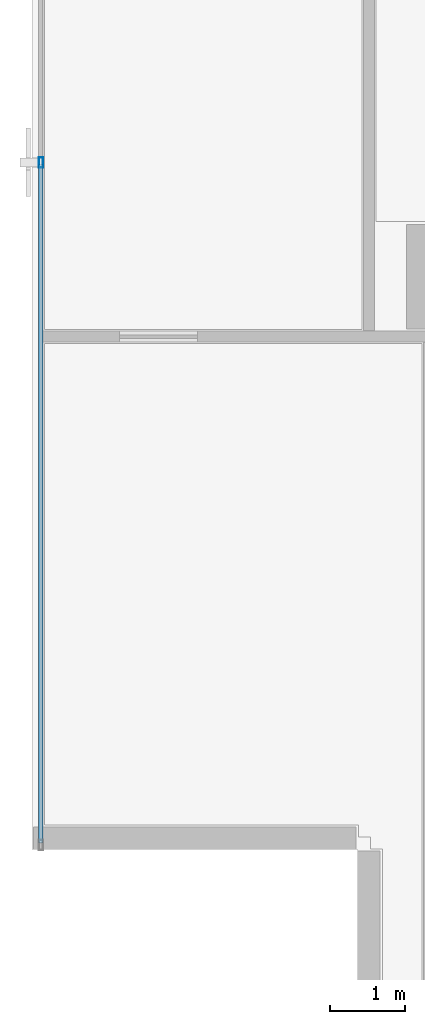
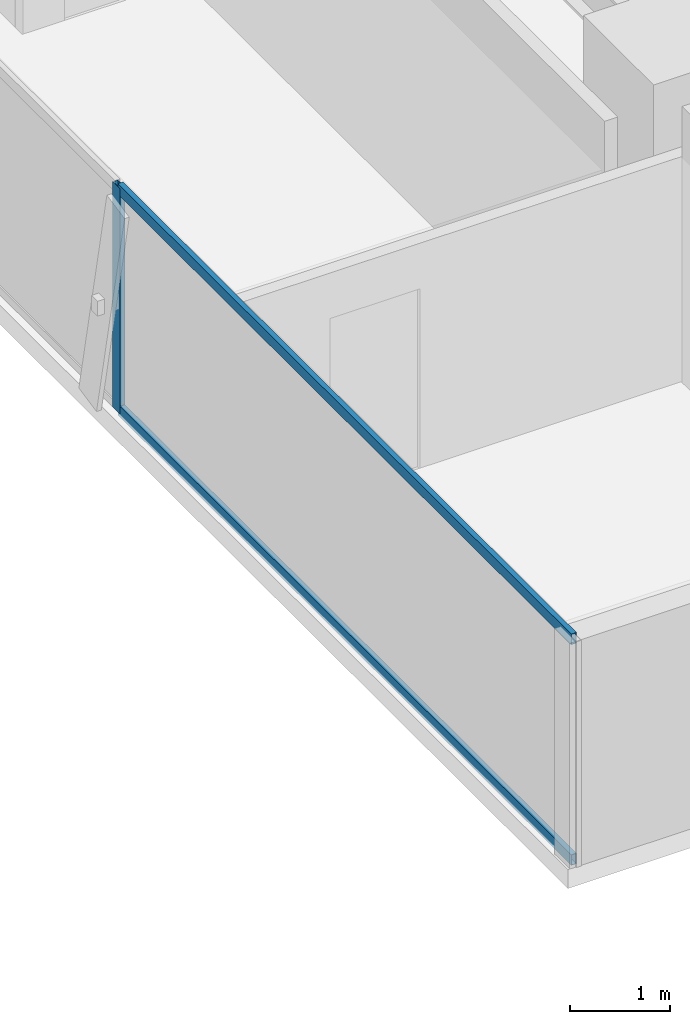
# One storey, part 4 of 25: 3 members, 1 element without a shape of its own.
"""IFC4 building model written with IfcOpenShell, lengths in metres."""

from ifc_helpers import new_model, si_unit, direction, frame, origin, origin_2d, place, context, subcontext, project, spatial, hollow_rectangle, extrude, source, transform, mapped, material, layer, layer_set, material_profile, profile_set, type_object, element, aggregate, save


model = new_model("IFC4")

# Units and contexts
model_context = context("Model", 3, precision=1e-05, world=origin(), true_north=direction((0.0, 1.0)))
body_context = subcontext(model_context, "Body", "Model", "MODEL_VIEW")
ifc_project = project(units=[si_unit("LENGTHUNIT", "METRE"), si_unit("AREAUNIT", "SQUARE_METRE"), si_unit("VOLUMEUNIT", "CUBIC_METRE"), si_unit("PLANEANGLEUNIT", "RADIAN"), si_unit("MASSUNIT", "GRAM", prefix="KILO")], contexts=[model_context])

# Site, building, storey
site_placement = place(None, origin())
site = spatial("IfcSite", under=ifc_project, at=site_placement, CompositionType="ELEMENT")
building_placement = place(site_placement, origin())
building = spatial("IfcBuilding", under=site, at=building_placement, Name="Sumidabori Civic Tower", CompositionType="ELEMENT")
storey_placement = place(building_placement, frame((0.0, 0.0, 246.800048828125)))
storey = spatial("IfcBuildingStorey", under=building, at=storey_placement, Name="L64", CompositionType="ELEMENT", Elevation=246.800048828125)

# Curtain wall, members
ifc_material = material(Name="Anodised Bronze Aluminium AW-6063-T6", Category="aluminium")
ifc_layer = layer(ifc_material, 0.179931640625, Name="Anodised Bronze Aluminium AW-6063-T6")
ifc_layer_set = layer_set([ifc_layer], Name="Anodised Bronze Aluminium AW-6063-T6")
curtain_wall_type = type_object("IfcCurtainWallType", Name="CW-SYS-5", PredefinedType="NOTDEFINED", material=ifc_layer_set)
curtain_wall_placement = place(storey_placement, origin())
curtain_wall = element("IfcCurtainWall", 1, at=curtain_wall_placement, inside=storey, type_object=curtain_wall_type, Name="Curtain Wall CW:L64:R10", PredefinedType="NOTDEFINED")
ifc_material_profile_1 = material_profile(ifc_material, hollow_rectangle(XDim=0.06005859375, YDim=0.139892578125, WallThickness=0.0048828125, at=origin_2d()), Name="ALU MULLION 140x60")
ifc_profile_set_1 = profile_set([ifc_material_profile_1], Name="Anodised Bronze Aluminium AW-6063-T6")
member_type_1 = type_object("IfcMemberType", Name="CW-MUL-140", PredefinedType="MULLION", material=ifc_profile_set_1)
shared_shape_1 = source(origin(), body_context, "Body", "SweptSolid", [
    extrude(hollow_rectangle(XDim=0.06005859375, YDim=0.139892578125, WallThickness=0.0048828125, at=origin_2d()), origin(), (0.0, 0.0, 1.0), 2.75),
])
member_1_placement = place(storey_placement, frame((-22.3798828125, 1.526611328125, 0.0), z_axis=(0.0, 0.0, 1.0), x_axis=(1.0, 0.0, 0.0)))
member_1 = element("IfcMember", 2, at=member_1_placement, type_object=member_type_1, Name="CW-5 mullion 3", PredefinedType="MULLION", context=body_context, shape_type="MappedRepresentation", body=[
    mapped(shared_shape_1, transform((0.0, 0.0, 0.0), x_axis=(1.0, 0.0, 0.0), y_axis=(0.0, 1.0, 0.0), z_axis=(0.0, 0.0, 1.0), scale=1.0)),
])
ifc_material_profile_2 = material_profile(ifc_material, hollow_rectangle(XDim=0.06005859375, YDim=0.1298828125, WallThickness=0.0048828125, at=origin_2d()), Name="ALU TRANSOM 130x60")
ifc_profile_set_2 = profile_set([ifc_material_profile_2], Name="Anodised Bronze Aluminium AW-6063-T6")
member_type_2 = type_object("IfcMemberType", Name="CW-TRN-130", PredefinedType="USERDEFINED", material=ifc_profile_set_2)
shared_shape_2 = source(origin(), body_context, "Body", "SweptSolid", [
    extrude(hollow_rectangle(XDim=0.06005859375, YDim=0.1298828125, WallThickness=0.0048828125, at=origin_2d()), origin(), (0.0, 0.0, 1.0), 9.056640625),
])
member_2_placement = place(storey_placement, frame((-22.3798828125, 1.49658203125, 0.030029296875), z_axis=(0.0, -1.0, 0.0), x_axis=(1.0, 0.0, 0.0)))
member_2 = element("IfcMember", 3, at=member_2_placement, type_object=member_type_2, Name="CW-5 transom 3.1", ObjectType="TRANSOM", PredefinedType="USERDEFINED", context=body_context, shape_type="MappedRepresentation", body=[
    mapped(shared_shape_2, transform((0.0, 0.0, 0.0), x_axis=(1.0, 0.0, 0.0), y_axis=(0.0, 1.0, 0.0), z_axis=(0.0, 0.0, 1.0), scale=1.0)),
])
member_3_placement = place(storey_placement, frame((-22.3798828125, 1.49658203125, 2.719970703125), z_axis=(0.0, -1.0, 0.0), x_axis=(1.0, 0.0, 0.0)))
member_3 = element("IfcMember", 4, at=member_3_placement, type_object=member_type_2, Name="CW-5 transom 3.2", ObjectType="TRANSOM", PredefinedType="USERDEFINED", context=body_context, shape_type="MappedRepresentation", body=[
    mapped(shared_shape_2, transform((0.0, 0.0, 0.0), x_axis=(1.0, 0.0, 0.0), y_axis=(0.0, 1.0, 0.0), z_axis=(0.0, 0.0, 1.0), scale=1.0)),
])
aggregate(curtain_wall, [member_1, member_2, member_3])

save(model, "model.ifc")
